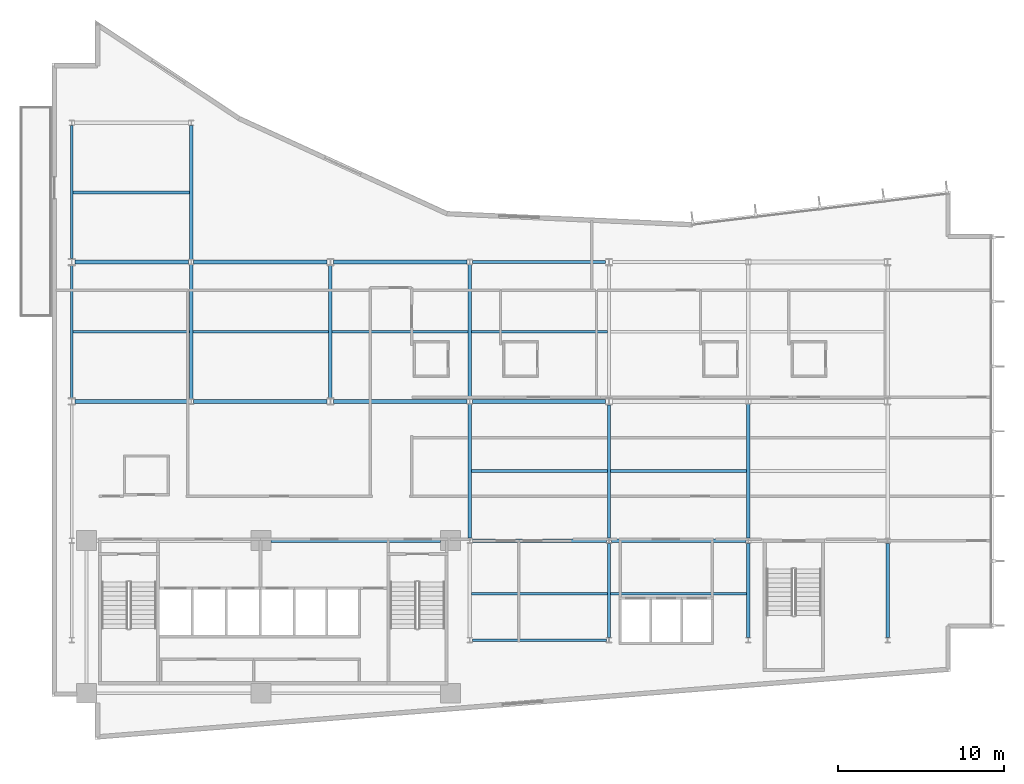
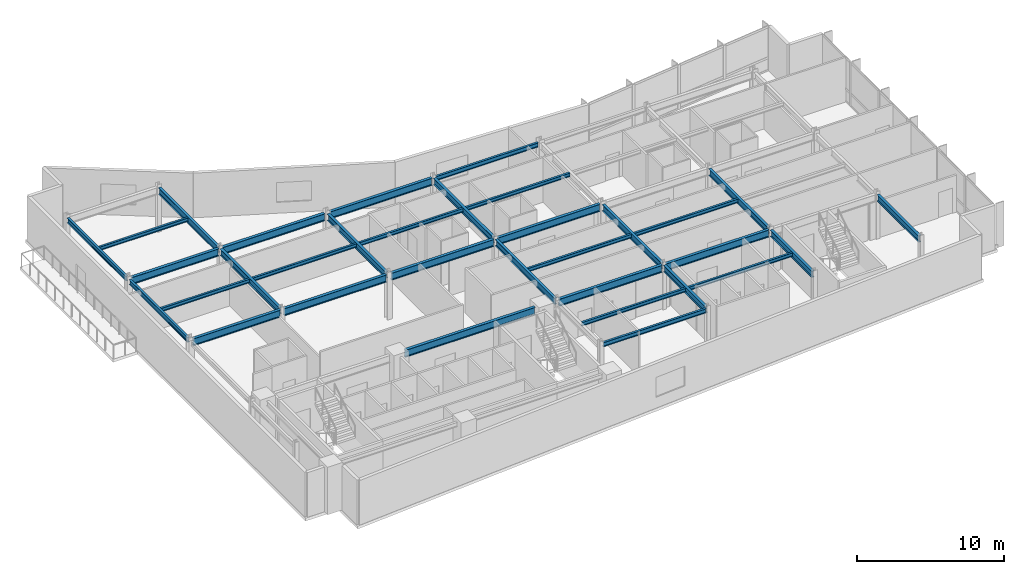
# One storey, part 4 of 18: 33 beams.
"""IFC4 building model written with IfcOpenShell, lengths in metres."""

from ifc_helpers import new_model, si_unit, direction, frame, origin, origin_2d, place, context, subcontext, project, spatial, i_section, extrude, material, material_profile, profile_set, type_object, element, save


model = new_model("IFC4")

# Units and contexts
model_context = context("Model", 3, precision=1e-05, world=origin(), true_north=direction((0.0, 1.0)))
body_context = subcontext(model_context, "Body", "Model", "MODEL_VIEW")
ifc_project = project(units=[si_unit("LENGTHUNIT", "METRE"), si_unit("AREAUNIT", "SQUARE_METRE"), si_unit("VOLUMEUNIT", "CUBIC_METRE"), si_unit("PLANEANGLEUNIT", "RADIAN"), si_unit("MASSUNIT", "GRAM", prefix="KILO")], contexts=[model_context])

# Site, building, storey
site_placement = place(None, origin())
site = spatial("IfcSite", under=ifc_project, at=site_placement, CompositionType="ELEMENT")
building_placement = place(site_placement, origin())
building = spatial("IfcBuilding", under=site, at=building_placement, Name="Varnakote Quay Hospital", CompositionType="ELEMENT")
storey_placement = place(building_placement, frame((0.0, 0.0, 142.85009765625)))
storey = spatial("IfcBuildingStorey", under=building, at=storey_placement, Name="L35", CompositionType="ELEMENT", Elevation=142.85009765625)

# Beams
ifc_material_1 = material(Name="Structural steel AS/NZS 3679.1 Grade 350 L0 (fy 340 MPa)", Category="steel")
ifc_material_profile_1 = material_profile(ifc_material_1, i_section(OverallWidth=0.208984375, OverallDepth=0.532958984375, WebThickness=0.01025390625, FlangeThickness=0.015625, FilletRadius=0.013916015625, at=origin_2d()), Name="530UB92.4")
ifc_profile_set_1 = profile_set([ifc_material_profile_1], Name="Structural steel AS/NZS 3679.1 Grade 350 L0 (fy 340 MPa)")
beam_type_1 = type_object("IfcBeamType", Name="BM-STL-530UB92-4", PredefinedType="BEAM", material=ifc_profile_set_1)
for number, where, z_axis, x_axis, name in (
    (1, (8.39990234375, 20.5576171875, 3.443359375), (0.0, 1.0, 0.0), (-1.0, 0.0, 0.0), "L35 Primary Tie Beam"),
    (2, (8.39990234375, 28.95751953125, 3.443359375), (0.0, 1.0, 0.0), (-1.0, 0.0, 0.0), "L35 Primary Tie Beam"),
):
    element("IfcBeam", number, at=place(storey_placement, frame(where, z_axis=z_axis, x_axis=x_axis)), inside=storey, type_object=beam_type_1, Name=name, PredefinedType="BEAM", context=body_context, shape_type="SweptSolid", body=[
        extrude(i_section(OverallWidth=0.208984375, OverallDepth=0.532958984375, WebThickness=0.01025390625, FlangeThickness=0.015625, FilletRadius=0.013916015625, at=origin_2d()), origin(), (0.0, 0.0, 1.0), 8.0849609375),
    ])
beam_1_placement = place(storey_placement, frame((16.800048828125, 20.610107421875, 3.443359375), z_axis=(0.0, 1.0, 0.0), x_axis=(-1.0, 0.0, 0.0)))
element("IfcBeam", 3, at=beam_1_placement, inside=storey, type_object=beam_type_1, Name="L35 Primary Tie Beam", PredefinedType="BEAM", context=body_context, shape_type="SweptSolid", body=[
    extrude(i_section(OverallWidth=0.208984375, OverallDepth=0.532958984375, WebThickness=0.01025390625, FlangeThickness=0.015625, FilletRadius=0.013916015625, at=origin_2d()), origin(), (0.0, 0.0, 1.0), 7.97998046875),
])
for number, where, z_axis, x_axis, name in (
    (4, (25.199951171875, 12.157470703125, 3.443359375), (0.0, 1.0, 0.0), (-1.0, 0.0, 0.0), "L35 Primary Tie Beam"),
    (5, (25.199951171875, 20.5576171875, 3.443359375), (0.0, 1.0, 0.0), (-1.0, 0.0, 0.0), "L35 Primary Tie Beam"),
):
    element("IfcBeam", number, at=place(storey_placement, frame(where, z_axis=z_axis, x_axis=x_axis)), inside=storey, type_object=beam_type_1, Name=name, PredefinedType="BEAM", context=body_context, shape_type="SweptSolid", body=[
        extrude(i_section(OverallWidth=0.208984375, OverallDepth=0.532958984375, WebThickness=0.01025390625, FlangeThickness=0.015625, FilletRadius=0.013916015625, at=origin_2d()), origin(), (0.0, 0.0, 1.0), 8.0849609375),
    ])
beam_2_placement = place(storey_placement, frame((33.60009765625, 6.157470703125, 3.443359375), z_axis=(0.0, 1.0, 0.0), x_axis=(-1.0, 0.0, 0.0)))
element("IfcBeam", 6, at=beam_2_placement, inside=storey, type_object=beam_type_1, Name="L35 Primary Tie Beam", PredefinedType="BEAM", context=body_context, shape_type="SweptSolid", body=[
    extrude(i_section(OverallWidth=0.208984375, OverallDepth=0.532958984375, WebThickness=0.01025390625, FlangeThickness=0.015625, FilletRadius=0.013916015625, at=origin_2d()), origin(), (0.0, 0.0, 1.0), 5.68505859375),
])
beam_3_placement = place(storey_placement, frame((33.60009765625, 12.157470703125, 3.443359375), z_axis=(0.0, 1.0, 0.0), x_axis=(-1.0, 0.0, 0.0)))
element("IfcBeam", 7, at=beam_3_placement, inside=storey, type_object=beam_type_1, Name="L35 Primary Tie Beam", PredefinedType="BEAM", context=body_context, shape_type="SweptSolid", body=[
    extrude(i_section(OverallWidth=0.208984375, OverallDepth=0.532958984375, WebThickness=0.01025390625, FlangeThickness=0.015625, FilletRadius=0.013916015625, at=origin_2d()), origin(), (0.0, 0.0, 1.0), 8.032470703125),
])
beam_4_placement = place(storey_placement, frame((42.0, 6.157470703125, 3.443359375), z_axis=(0.0, 1.0, 0.0), x_axis=(-1.0, 0.0, 0.0)))
element("IfcBeam", 8, at=beam_4_placement, inside=storey, type_object=beam_type_1, Name="L35 Primary Tie Beam", PredefinedType="BEAM", context=body_context, shape_type="SweptSolid", body=[
    extrude(i_section(OverallWidth=0.208984375, OverallDepth=0.532958984375, WebThickness=0.01025390625, FlangeThickness=0.015625, FilletRadius=0.013916015625, at=origin_2d()), origin(), (0.0, 0.0, 1.0), 5.68505859375),
])
beam_5_placement = place(storey_placement, frame((42.0, 12.157470703125, 3.443359375), z_axis=(0.0, 1.0, 0.0), x_axis=(-1.0, 0.0, 0.0)))
element("IfcBeam", 9, at=beam_5_placement, inside=storey, type_object=beam_type_1, Name="L35 Primary Tie Beam", PredefinedType="BEAM", context=body_context, shape_type="SweptSolid", body=[
    extrude(i_section(OverallWidth=0.208984375, OverallDepth=0.532958984375, WebThickness=0.01025390625, FlangeThickness=0.015625, FilletRadius=0.013916015625, at=origin_2d()), origin(), (0.0, 0.0, 1.0), 8.0849609375),
])
beam_6_placement = place(storey_placement, frame((50.39990234375, 6.157470703125, 3.443359375), z_axis=(0.0, 1.0, 0.0), x_axis=(-1.0, 0.0, 0.0)))
element("IfcBeam", 10, at=beam_6_placement, inside=storey, type_object=beam_type_1, Name="L35 Primary Tie Beam", PredefinedType="BEAM", context=body_context, shape_type="SweptSolid", body=[
    extrude(i_section(OverallWidth=0.208984375, OverallDepth=0.532958984375, WebThickness=0.01025390625, FlangeThickness=0.015625, FilletRadius=0.013916015625, at=origin_2d()), origin(), (0.0, 0.0, 1.0), 5.68505859375),
])
ifc_material_2 = material(Name="Structural steel AS/NZS 3679.1 Grade 350 L0 (fy 340 MPa)", Category="steel")
ifc_material_profile_2 = material_profile(ifc_material_2, i_section(OverallWidth=0.22802734375, OverallDepth=0.60205078125, WebThickness=0.010498046875, FlangeThickness=0.014892578125, FilletRadius=0.013916015625, at=origin_2d()), Name="610UB101")
ifc_profile_set_2 = profile_set([ifc_material_profile_2], Name="Structural steel AS/NZS 3679.1 Grade 350 L0 (fy 340 MPa)")
beam_type_2 = type_object("IfcBeamType", Name="BM-STL-610UB101", PredefinedType="BEAM", material=ifc_profile_set_2)
beam_7_placement = place(storey_placement, frame((13.219970703125, 12.0, 3.408935546875), z_axis=(1.0, 0.0, 0.0), x_axis=(0.0, 1.0, 0.0)))
element("IfcBeam", 11, at=beam_7_placement, inside=storey, type_object=beam_type_2, Name="L35 Primary Floor Beam", PredefinedType="BEAM", context=body_context, shape_type="SweptSolid", body=[
    extrude(i_section(OverallWidth=0.22802734375, OverallDepth=0.60205078125, WebThickness=0.010498046875, FlangeThickness=0.014892578125, FilletRadius=0.013916015625, at=origin_2d()), origin(), (0.0, 0.0, 1.0), 10.22998046875),
])
for number, where, z_axis, x_axis, name in (
    (12, (25.353515625, 12.0, 3.408935546875), (1.0, 0.0, 0.0), (0.0, 1.0, 0.0), "L35 Primary Floor Beam"),
    (13, (33.75341796875, 12.0, 3.408935546875), (1.0, 0.0, 0.0), (0.0, 1.0, 0.0), "L35 Primary Floor Beam"),
):
    element("IfcBeam", number, at=place(storey_placement, frame(where, z_axis=z_axis, x_axis=x_axis)), inside=storey, type_object=beam_type_2, Name=name, PredefinedType="BEAM", context=body_context, shape_type="SweptSolid", body=[
        extrude(i_section(OverallWidth=0.22802734375, OverallDepth=0.60205078125, WebThickness=0.010498046875, FlangeThickness=0.014892578125, FilletRadius=0.013916015625, at=origin_2d()), origin(), (0.0, 0.0, 1.0), 8.093017578125),
    ])
beam_8_placement = place(storey_placement, frame((1.39990234375, 20.39990234375, 3.408935546875), z_axis=(1.0, 0.0, 0.0), x_axis=(0.0, 1.0, 0.0)))
element("IfcBeam", 14, at=beam_8_placement, inside=storey, type_object=beam_type_2, Name="L35 Primary Floor Beam", PredefinedType="BEAM", context=body_context, shape_type="SweptSolid", body=[
    extrude(i_section(OverallWidth=0.22802734375, OverallDepth=0.60205078125, WebThickness=0.010498046875, FlangeThickness=0.014892578125, FilletRadius=0.013916015625, at=origin_2d()), origin(), (0.0, 0.0, 1.0), 6.8466796875),
])
beam_9_placement = place(storey_placement, frame((8.553466796875, 20.39990234375, 3.408935546875), z_axis=(1.0, 0.0, 0.0), x_axis=(0.0, 1.0, 0.0)))
element("IfcBeam", 15, at=beam_9_placement, inside=storey, type_object=beam_type_2, Name="L35 Primary Floor Beam", PredefinedType="BEAM", context=body_context, shape_type="SweptSolid", body=[
    extrude(i_section(OverallWidth=0.22802734375, OverallDepth=0.60205078125, WebThickness=0.010498046875, FlangeThickness=0.014892578125, FilletRadius=0.013916015625, at=origin_2d()), origin(), (0.0, 0.0, 1.0), 8.046630859375),
])
for number, where, z_axis, x_axis, name in (
    (16, (17.0, 20.39990234375, 3.408935546875), (1.0, 0.0, 0.0), (0.0, 1.0, 0.0), "L35 Primary Floor Beam"),
    (17, (25.353515625, 20.39990234375, 3.408935546875), (1.0, 0.0, 0.0), (0.0, 1.0, 0.0), "L35 Primary Floor Beam"),
):
    element("IfcBeam", number, at=place(storey_placement, frame(where, z_axis=z_axis, x_axis=x_axis)), inside=storey, type_object=beam_type_2, Name=name, PredefinedType="BEAM", context=body_context, shape_type="SweptSolid", body=[
        extrude(i_section(OverallWidth=0.22802734375, OverallDepth=0.60205078125, WebThickness=0.010498046875, FlangeThickness=0.014892578125, FilletRadius=0.013916015625, at=origin_2d()), origin(), (0.0, 0.0, 1.0), 8.04638671875),
    ])
beam_10_placement = place(storey_placement, frame((1.39990234375, 28.800048828125, 3.408935546875), z_axis=(1.0, 0.0, 0.0), x_axis=(0.0, 1.0, 0.0)))
element("IfcBeam", 18, at=beam_10_placement, inside=storey, type_object=beam_type_2, Name="L35 Primary Floor Beam", PredefinedType="BEAM", context=body_context, shape_type="SweptSolid", body=[
    extrude(i_section(OverallWidth=0.22802734375, OverallDepth=0.60205078125, WebThickness=0.010498046875, FlangeThickness=0.014892578125, FilletRadius=0.013916015625, at=origin_2d()), origin(), (0.0, 0.0, 1.0), 6.8466796875),
])
beam_11_placement = place(storey_placement, frame((8.553466796875, 28.800048828125, 3.408935546875), z_axis=(1.0, 0.0, 0.0), x_axis=(0.0, 1.0, 0.0)))
element("IfcBeam", 19, at=beam_11_placement, inside=storey, type_object=beam_type_2, Name="L35 Primary Floor Beam", PredefinedType="BEAM", context=body_context, shape_type="SweptSolid", body=[
    extrude(i_section(OverallWidth=0.22802734375, OverallDepth=0.60205078125, WebThickness=0.010498046875, FlangeThickness=0.014892578125, FilletRadius=0.013916015625, at=origin_2d()), origin(), (0.0, 0.0, 1.0), 8.046630859375),
])
beam_12_placement = place(storey_placement, frame((17.0, 28.800048828125, 3.408935546875), z_axis=(1.0, 0.0, 0.0), x_axis=(0.0, 1.0, 0.0)))
element("IfcBeam", 20, at=beam_12_placement, inside=storey, type_object=beam_type_2, Name="L35 Primary Floor Beam", PredefinedType="BEAM", context=body_context, shape_type="SweptSolid", body=[
    extrude(i_section(OverallWidth=0.22802734375, OverallDepth=0.60205078125, WebThickness=0.010498046875, FlangeThickness=0.014892578125, FilletRadius=0.013916015625, at=origin_2d()), origin(), (0.0, 0.0, 1.0), 8.04638671875),
])
ifc_material_3 = material(Name="Structural steel AS/NZS 3679.1 Grade 350 L0 (fy 340 MPa)", Category="steel")
ifc_material_profile_3 = material_profile(ifc_material_3, i_section(OverallWidth=0.1650390625, OverallDepth=0.303955078125, WebThickness=0.006103515625, FlangeThickness=0.01025390625, FilletRadius=0.011474609375, at=origin_2d()), Name="310UB40.4")
ifc_profile_set_3 = profile_set([ifc_material_profile_3], Name="Structural steel AS/NZS 3679.1 Grade 350 L0 (fy 340 MPa)")
beam_type_3 = type_object("IfcBeamType", Name="JST-STL-310UB40-4", PredefinedType="JOIST", material=ifc_profile_set_3)
beam_13_placement = place(storey_placement, frame((25.304443359375, 8.800048828125, 3.557861328125), z_axis=(1.0, 0.0, 0.0), x_axis=(0.0, 1.0, 0.0)))
element("IfcBeam", 21, at=beam_13_placement, inside=storey, type_object=beam_type_3, Name="L35 Composite Floor Joist", PredefinedType="JOIST", context=body_context, shape_type="SweptSolid", body=[
    extrude(i_section(OverallWidth=0.1650390625, OverallDepth=0.303955078125, WebThickness=0.006103515625, FlangeThickness=0.01025390625, FilletRadius=0.011474609375, at=origin_2d()), origin(), (0.0, 0.0, 1.0), 8.191162109375),
])
beam_14_placement = place(storey_placement, frame((33.70458984375, 8.800048828125, 3.557861328125), z_axis=(1.0, 0.0, 0.0), x_axis=(0.0, 1.0, 0.0)))
element("IfcBeam", 22, at=beam_14_placement, inside=storey, type_object=beam_type_3, Name="L35 Composite Floor Joist", PredefinedType="JOIST", context=body_context, shape_type="SweptSolid", body=[
    extrude(i_section(OverallWidth=0.1650390625, OverallDepth=0.303955078125, WebThickness=0.006103515625, FlangeThickness=0.01025390625, FilletRadius=0.011474609375, at=origin_2d()), origin(), (0.0, 0.0, 1.0), 8.19091796875),
])
beam_15_placement = place(storey_placement, frame((25.304443359375, 16.199951171875, 3.557861328125), z_axis=(1.0, 0.0, 0.0), x_axis=(0.0, 1.0, 0.0)))
element("IfcBeam", 23, at=beam_15_placement, inside=storey, type_object=beam_type_3, Name="L35 Composite Floor Joist", PredefinedType="JOIST", context=body_context, shape_type="SweptSolid", body=[
    extrude(i_section(OverallWidth=0.1650390625, OverallDepth=0.303955078125, WebThickness=0.006103515625, FlangeThickness=0.01025390625, FilletRadius=0.011474609375, at=origin_2d()), origin(), (0.0, 0.0, 1.0), 8.191162109375),
])
beam_16_placement = place(storey_placement, frame((33.70458984375, 16.199951171875, 3.557861328125), z_axis=(1.0, 0.0, 0.0), x_axis=(0.0, 1.0, 0.0)))
element("IfcBeam", 24, at=beam_16_placement, inside=storey, type_object=beam_type_3, Name="L35 Composite Floor Joist", PredefinedType="JOIST", context=body_context, shape_type="SweptSolid", body=[
    extrude(i_section(OverallWidth=0.1650390625, OverallDepth=0.303955078125, WebThickness=0.006103515625, FlangeThickness=0.01025390625, FilletRadius=0.011474609375, at=origin_2d()), origin(), (0.0, 0.0, 1.0), 8.19091796875),
])
beam_17_placement = place(storey_placement, frame((1.2890625, 24.60009765625, 3.557861328125), z_axis=(1.0, 0.0, 0.0), x_axis=(0.0, 1.0, 0.0)))
element("IfcBeam", 25, at=beam_17_placement, inside=storey, type_object=beam_type_3, Name="L35 Composite Floor Joist", PredefinedType="JOIST", context=body_context, shape_type="SweptSolid", body=[
    extrude(i_section(OverallWidth=0.1650390625, OverallDepth=0.303955078125, WebThickness=0.006103515625, FlangeThickness=0.01025390625, FilletRadius=0.011474609375, at=origin_2d()), origin(), (0.0, 0.0, 1.0), 7.00634765625),
])
beam_18_placement = place(storey_placement, frame((8.50439453125, 24.60009765625, 3.557861328125), z_axis=(1.0, 0.0, 0.0), x_axis=(0.0, 1.0, 0.0)))
element("IfcBeam", 26, at=beam_18_placement, inside=storey, type_object=beam_type_3, Name="L35 Composite Floor Joist", PredefinedType="JOIST", context=body_context, shape_type="SweptSolid", body=[
    extrude(i_section(OverallWidth=0.1650390625, OverallDepth=0.303955078125, WebThickness=0.006103515625, FlangeThickness=0.01025390625, FilletRadius=0.011474609375, at=origin_2d()), origin(), (0.0, 0.0, 1.0), 8.191162109375),
])
beam_19_placement = place(storey_placement, frame((16.904541015625, 24.60009765625, 3.557861328125), z_axis=(1.0, 0.0, 0.0), x_axis=(0.0, 1.0, 0.0)))
element("IfcBeam", 27, at=beam_19_placement, inside=storey, type_object=beam_type_3, Name="L35 Composite Floor Joist", PredefinedType="JOIST", context=body_context, shape_type="SweptSolid", body=[
    extrude(i_section(OverallWidth=0.1650390625, OverallDepth=0.303955078125, WebThickness=0.006103515625, FlangeThickness=0.01025390625, FilletRadius=0.011474609375, at=origin_2d()), origin(), (0.0, 0.0, 1.0), 8.19091796875),
])
beam_20_placement = place(storey_placement, frame((25.304443359375, 24.60009765625, 3.557861328125), z_axis=(1.0, 0.0, 0.0), x_axis=(0.0, 1.0, 0.0)))
element("IfcBeam", 28, at=beam_20_placement, inside=storey, type_object=beam_type_3, Name="L35 Composite Floor Joist", PredefinedType="JOIST", context=body_context, shape_type="SweptSolid", body=[
    extrude(i_section(OverallWidth=0.1650390625, OverallDepth=0.303955078125, WebThickness=0.006103515625, FlangeThickness=0.01025390625, FilletRadius=0.011474609375, at=origin_2d()), origin(), (0.0, 0.0, 1.0), 8.191162109375),
])
beam_21_placement = place(storey_placement, frame((1.2890625, 33.0, 3.557861328125), z_axis=(1.0, 0.0, 0.0), x_axis=(0.0, 1.0, 0.0)))
element("IfcBeam", 29, at=beam_21_placement, inside=storey, type_object=beam_type_3, Name="L35 Composite Floor Joist", PredefinedType="JOIST", context=body_context, shape_type="SweptSolid", body=[
    extrude(i_section(OverallWidth=0.1650390625, OverallDepth=0.303955078125, WebThickness=0.006103515625, FlangeThickness=0.01025390625, FilletRadius=0.011474609375, at=origin_2d()), origin(), (0.0, 0.0, 1.0), 7.00634765625),
])
ifc_material_4 = material(Name="Structural steel AS/NZS 3679.1 Grade 350 L0 (fy 340 MPa)", Category="steel")
ifc_material_profile_4 = material_profile(ifc_material_4, i_section(OverallWidth=0.172119140625, OverallDepth=0.35888671875, WebThickness=0.008056640625, FlangeThickness=0.012939453125, FilletRadius=0.011474609375, at=origin_2d()), Name="360UB56.7")
ifc_profile_set_4 = profile_set([ifc_material_profile_4], Name="Structural steel AS/NZS 3679.1 Grade 350 L0 (fy 340 MPa)")
beam_type_4 = type_object("IfcBeamType", Name="SPN-STL-360UB56-7", PredefinedType="SPANDREL", material=ifc_profile_set_4)
beam_22_placement = place(storey_placement, frame((25.353515625, 6.0, 3.530517578125), z_axis=(1.0, 0.0, 0.0), x_axis=(0.0, 1.0, 0.0)))
element("IfcBeam", 30, at=beam_22_placement, inside=storey, type_object=beam_type_4, Name="L35 Perimeter Spandrel Beam", PredefinedType="SPANDREL", context=body_context, shape_type="SweptSolid", body=[
    extrude(i_section(OverallWidth=0.172119140625, OverallDepth=0.35888671875, WebThickness=0.008056640625, FlangeThickness=0.012939453125, FilletRadius=0.011474609375, at=origin_2d()), origin(), (0.0, 0.0, 1.0), 8.093017578125),
])
beam_23_placement = place(storey_placement, frame((25.353515625, 28.800048828125, 3.530517578125), z_axis=(1.0, 0.0, 0.0), x_axis=(0.0, 1.0, 0.0)))
element("IfcBeam", 31, at=beam_23_placement, inside=storey, type_object=beam_type_4, Name="L35 Perimeter Spandrel Beam", PredefinedType="SPANDREL", context=body_context, shape_type="SweptSolid", body=[
    extrude(i_section(OverallWidth=0.172119140625, OverallDepth=0.35888671875, WebThickness=0.008056640625, FlangeThickness=0.012939453125, FilletRadius=0.011474609375, at=origin_2d()), origin(), (0.0, 0.0, 1.0), 8.04638671875),
])
ifc_material_5 = material(Name="Structural steel AS/NZS 3679.1 Grade 350 L0 (fy 340 MPa)", Category="steel")
ifc_material_profile_5 = material_profile(ifc_material_5, i_section(OverallWidth=0.177978515625, OverallDepth=0.403076171875, WebThickness=0.007568359375, FlangeThickness=0.010986328125, FilletRadius=0.011474609375, at=origin_2d()), Name="410UB53.7")
ifc_profile_set_5 = profile_set([ifc_material_profile_5], Name="Structural steel AS/NZS 3679.1 Grade 350 L0 (fy 340 MPa)")
beam_type_5 = type_object("IfcBeamType", Name="SPN-STL-410UB53-7", PredefinedType="SPANDREL", material=ifc_profile_set_5)
beam_24_placement = place(storey_placement, frame((1.199951171875, 20.610107421875, 3.50830078125), z_axis=(0.0, 1.0, 0.0), x_axis=(-1.0, 0.0, 0.0)))
element("IfcBeam", 32, at=beam_24_placement, inside=storey, type_object=beam_type_5, Name="L35 Perimeter Spandrel Beam", PredefinedType="SPANDREL", context=body_context, shape_type="SweptSolid", body=[
    extrude(i_section(OverallWidth=0.177978515625, OverallDepth=0.403076171875, WebThickness=0.007568359375, FlangeThickness=0.010986328125, FilletRadius=0.011474609375, at=origin_2d()), origin(), (0.0, 0.0, 1.0), 7.97998046875),
])
beam_25_placement = place(storey_placement, frame((1.199951171875, 29.010009765625, 3.50830078125), z_axis=(0.0, 1.0, 0.0), x_axis=(-1.0, 0.0, 0.0)))
element("IfcBeam", 33, at=beam_25_placement, inside=storey, type_object=beam_type_5, Name="L35 Perimeter Spandrel Beam", PredefinedType="SPANDREL", context=body_context, shape_type="SweptSolid", body=[
    extrude(i_section(OverallWidth=0.177978515625, OverallDepth=0.403076171875, WebThickness=0.007568359375, FlangeThickness=0.010986328125, FilletRadius=0.011474609375, at=origin_2d()), origin(), (0.0, 0.0, 1.0), 8.032470703125),
])

save(model, "model.ifc")
